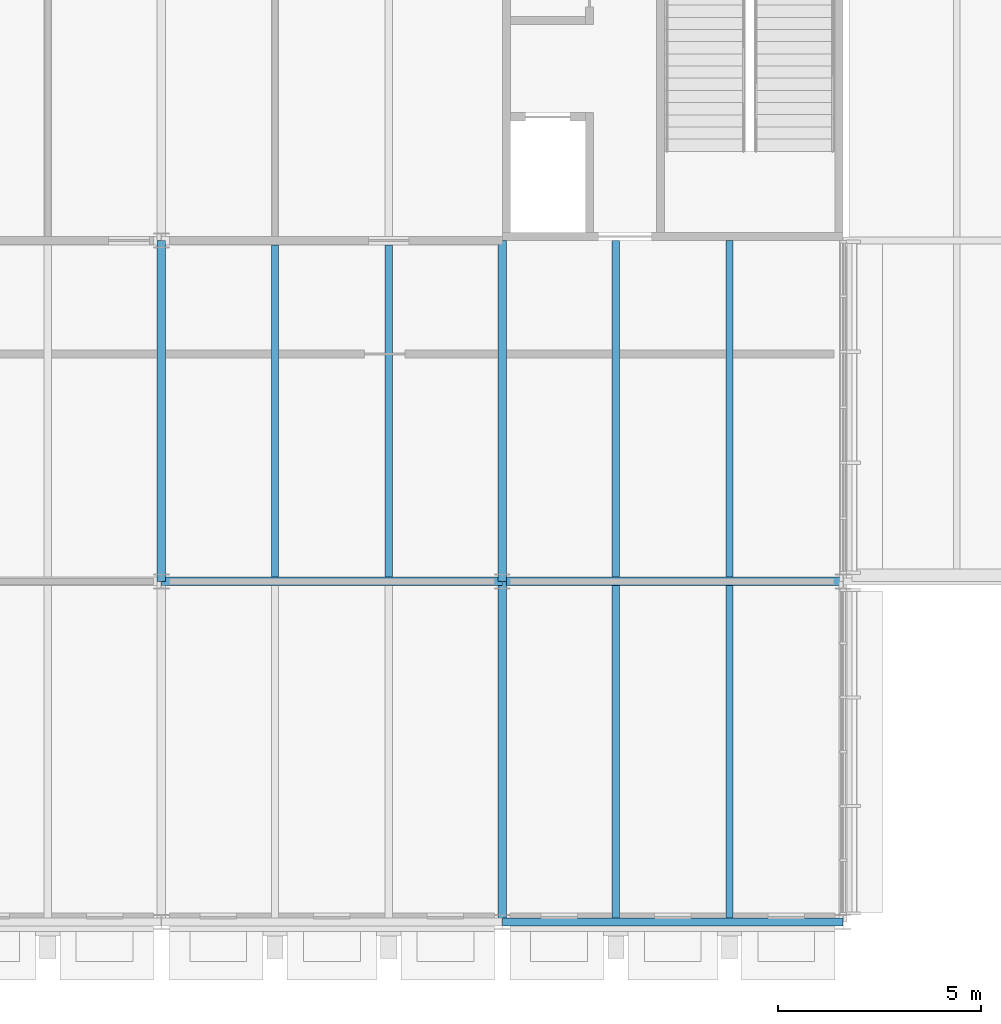
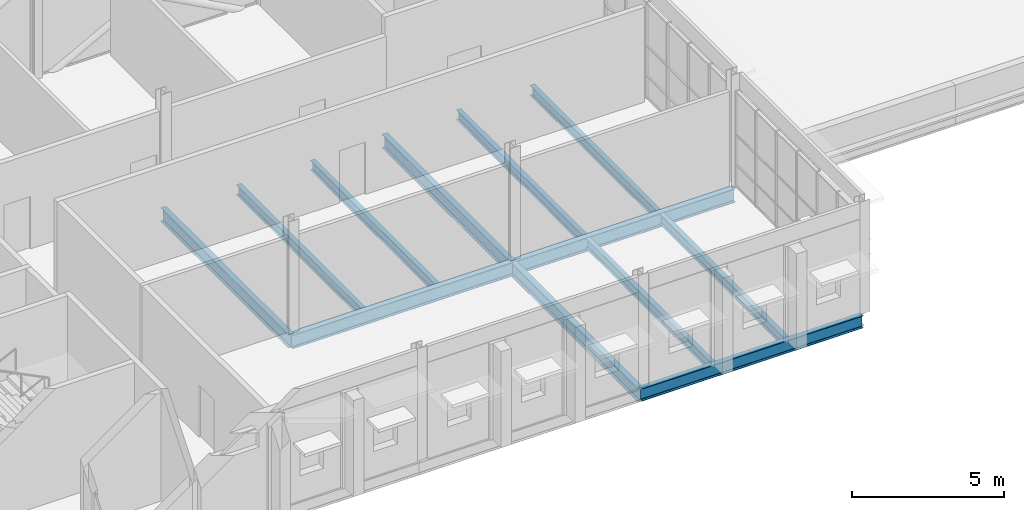
# One storey, part 4 of 29: 12 beams.
"""IFC4 building model written with IfcOpenShell, lengths in metres."""

from ifc_helpers import new_model, si_unit, direction, frame, origin, origin_2d, place, context, subcontext, project, spatial, i_section, extrude, material, material_profile, profile_set, type_object, element, save


model = new_model("IFC4")

# Units and contexts
model_context = context("Model", 3, precision=1e-05, world=origin(), true_north=direction((0.0, 1.0)))
body_context = subcontext(model_context, "Body", "Model", "MODEL_VIEW")
ifc_project = project(units=[si_unit("LENGTHUNIT", "METRE"), si_unit("AREAUNIT", "SQUARE_METRE"), si_unit("VOLUMEUNIT", "CUBIC_METRE"), si_unit("PLANEANGLEUNIT", "RADIAN"), si_unit("MASSUNIT", "GRAM", prefix="KILO")], contexts=[model_context])

# Site, building, storey
site_placement = place(None, origin())
site = spatial("IfcSite", under=ifc_project, at=site_placement, CompositionType="ELEMENT")
building_placement = place(site_placement, origin())
building = spatial("IfcBuilding", under=site, at=building_placement, Name="Ardhachandra Cancer Care Centre", CompositionType="ELEMENT")
storey_placement = place(building_placement, frame((0.0, 0.0, 13.5)))
storey = spatial("IfcBuildingStorey", under=building, at=storey_placement, Name="L03", CompositionType="ELEMENT", Elevation=13.5)

# Beams
ifc_material_1 = material(Name="Steel E350 (IS 2062)", Category="steel")
ifc_material_profile_1 = material_profile(ifc_material_1, i_section(OverallWidth=0.179931640625, OverallDepth=0.39990234375, WebThickness=0.008544921875, FlangeThickness=0.013427734375, FilletRadius=0.02099609375, at=origin_2d()), Name="NPB 400x180x66.30")
ifc_profile_set_1 = profile_set([ifc_material_profile_1], Name="Steel E350 (IS 2062)")
beam_type_1 = type_object("IfcBeamType", Name="Beam NPB 400x180x66.30", PredefinedType="BEAM", material=ifc_profile_set_1)
for number, where, z_axis, x_axis, name in (
    (1, (30.39990234375, 79.905029296875, -0.35009765625), (0.0, 1.0, 0.0), (-1.0, 0.0, 0.0), "Secondary J3-K3@2800"),
    (2, (33.199951171875, 79.905029296875, -0.35009765625), (0.0, 1.0, 0.0), (-1.0, 0.0, 0.0), "Secondary J3-K3@5600"),
):
    element("IfcBeam", number, at=place(storey_placement, frame(where, z_axis=z_axis, x_axis=x_axis)), inside=storey, type_object=beam_type_1, Name=name, PredefinedType="BEAM", context=body_context, shape_type="SweptSolid", body=[
        extrude(i_section(OverallWidth=0.179931640625, OverallDepth=0.39990234375, WebThickness=0.008544921875, FlangeThickness=0.013427734375, FilletRadius=0.02099609375, at=origin_2d()), origin(), (0.0, 0.0, 1.0), 8.18994140625),
    ])
beam_1_placement = place(storey_placement, frame((38.800048828125, 71.5, -0.35009765625), z_axis=(0.0, 1.0, 0.0), x_axis=(-1.0, 0.0, 0.0)))
element("IfcBeam", 3, at=beam_1_placement, inside=storey, type_object=beam_type_1, Name="Secondary H4-J4@2800", PredefinedType="BEAM", context=body_context, shape_type="SweptSolid", body=[
    extrude(i_section(OverallWidth=0.179931640625, OverallDepth=0.39990234375, WebThickness=0.008544921875, FlangeThickness=0.013427734375, FilletRadius=0.02099609375, at=origin_2d()), origin(), (0.0, 0.0, 1.0), 8.195068359375),
])
beam_2_placement = place(storey_placement, frame((38.800048828125, 79.905029296875, -0.35009765625), z_axis=(0.0, 1.0, 0.0), x_axis=(-1.0, 0.0, 0.0)))
element("IfcBeam", 4, at=beam_2_placement, inside=storey, type_object=beam_type_1, Name="Secondary J4-K4@2800", PredefinedType="BEAM", context=body_context, shape_type="SweptSolid", body=[
    extrude(i_section(OverallWidth=0.179931640625, OverallDepth=0.39990234375, WebThickness=0.008544921875, FlangeThickness=0.013427734375, FilletRadius=0.02099609375, at=origin_2d()), origin(), (0.0, 0.0, 1.0), 8.294921875),
])
beam_3_placement = place(storey_placement, frame((41.60009765625, 71.5, -0.35009765625), z_axis=(0.0, 1.0, 0.0), x_axis=(-1.0, 0.0, 0.0)))
element("IfcBeam", 5, at=beam_3_placement, inside=storey, type_object=beam_type_1, Name="Secondary H4-J4@5600", PredefinedType="BEAM", context=body_context, shape_type="SweptSolid", body=[
    extrude(i_section(OverallWidth=0.179931640625, OverallDepth=0.39990234375, WebThickness=0.008544921875, FlangeThickness=0.013427734375, FilletRadius=0.02099609375, at=origin_2d()), origin(), (0.0, 0.0, 1.0), 8.195068359375),
])
beam_4_placement = place(storey_placement, frame((41.60009765625, 79.905029296875, -0.35009765625), z_axis=(0.0, 1.0, 0.0), x_axis=(-1.0, 0.0, 0.0)))
element("IfcBeam", 6, at=beam_4_placement, inside=storey, type_object=beam_type_1, Name="Secondary J4-K4@5600", PredefinedType="BEAM", context=body_context, shape_type="SweptSolid", body=[
    extrude(i_section(OverallWidth=0.179931640625, OverallDepth=0.39990234375, WebThickness=0.008544921875, FlangeThickness=0.013427734375, FilletRadius=0.02099609375, at=origin_2d()), origin(), (0.0, 0.0, 1.0), 8.294921875),
])
ifc_material_2 = material(Name="Steel E350 (IS 2062)", Category="steel")
ifc_material_profile_2 = material_profile(ifc_material_2, i_section(OverallWidth=0.199951171875, OverallDepth=0.5, WebThickness=0.01025390625, FlangeThickness=0.01611328125, FilletRadius=0.02099609375, at=origin_2d()), Name="NPB 500x200x90.68")
ifc_profile_set_2 = profile_set([ifc_material_profile_2], Name="Steel E350 (IS 2062)")
beam_type_2 = type_object("IfcBeamType", Name="Beam NPB 500x200x90.68", PredefinedType="BEAM", material=ifc_profile_set_2)
beam_5_placement = place(storey_placement, frame((36.0, 71.39990234375, -0.39990234375), z_axis=(1.0, 0.0, 0.0), x_axis=(0.0, 1.0, 0.0)))
element("IfcBeam", 7, at=beam_5_placement, inside=storey, type_object=beam_type_2, Name="Edge girder H4-H5", PredefinedType="BEAM", context=body_context, shape_type="SweptSolid", body=[
    extrude(i_section(OverallWidth=0.199951171875, OverallDepth=0.5, WebThickness=0.01025390625, FlangeThickness=0.01611328125, FilletRadius=0.02099609375, at=origin_2d()), origin(), (0.0, 0.0, 1.0), 8.39990234375),
])
ifc_material_3 = material(Name="Steel E350 (IS 2062)", Category="steel")
ifc_material_profile_3 = material_profile(ifc_material_3, i_section(OverallWidth=0.2099609375, OverallDepth=0.550048828125, WebThickness=0.010986328125, FlangeThickness=0.01708984375, FilletRadius=0.02392578125, at=origin_2d()), Name="NPB 550x210x105.52")
ifc_profile_set_3 = profile_set([ifc_material_profile_3], Name="Steel E350 (IS 2062)")
beam_type_3 = type_object("IfcBeamType", Name="Beam NPB 550x210x105.52", PredefinedType="BEAM", material=ifc_profile_set_3)
for number, where, z_axis, x_axis, name in (
    (8, (27.60009765625, 79.800048828125, -0.425048828125), (1.0, 0.0, 0.0), (0.0, 1.0, 0.0), "Girder J3-J4"),
    (9, (36.0, 79.800048828125, -0.425048828125), (1.0, 0.0, 0.0), (0.0, 1.0, 0.0), "Girder J4-J5"),
    (10, (27.60009765625, 79.800048828125, -0.425048828125), (0.0, 1.0, 0.0), (-1.0, 0.0, 0.0), "Girder J3-K3"),
):
    element("IfcBeam", number, at=place(storey_placement, frame(where, z_axis=z_axis, x_axis=x_axis)), inside=storey, type_object=beam_type_3, Name=name, PredefinedType="BEAM", context=body_context, shape_type="SweptSolid", body=[
        extrude(i_section(OverallWidth=0.2099609375, OverallDepth=0.550048828125, WebThickness=0.010986328125, FlangeThickness=0.01708984375, FilletRadius=0.02392578125, at=origin_2d()), origin(), (0.0, 0.0, 1.0), 8.39990234375),
    ])
beam_6_placement = place(storey_placement, frame((36.0, 71.39990234375, -0.425048828125), z_axis=(0.0, 1.0, 0.0), x_axis=(-1.0, 0.0, 0.0)))
element("IfcBeam", 11, at=beam_6_placement, inside=storey, type_object=beam_type_3, Name="Girder H4-J4", PredefinedType="BEAM", context=body_context, shape_type="SweptSolid", body=[
    extrude(i_section(OverallWidth=0.2099609375, OverallDepth=0.550048828125, WebThickness=0.010986328125, FlangeThickness=0.01708984375, FilletRadius=0.02392578125, at=origin_2d()), origin(), (0.0, 0.0, 1.0), 8.400146484375),
])
beam_7_placement = place(storey_placement, frame((36.0, 79.800048828125, -0.425048828125), z_axis=(0.0, 1.0, 0.0), x_axis=(-1.0, 0.0, 0.0)))
element("IfcBeam", 12, at=beam_7_placement, inside=storey, type_object=beam_type_3, Name="Girder J4-K4", PredefinedType="BEAM", context=body_context, shape_type="SweptSolid", body=[
    extrude(i_section(OverallWidth=0.2099609375, OverallDepth=0.550048828125, WebThickness=0.010986328125, FlangeThickness=0.01708984375, FilletRadius=0.02392578125, at=origin_2d()), origin(), (0.0, 0.0, 1.0), 8.39990234375),
])

save(model, "model.ifc")
